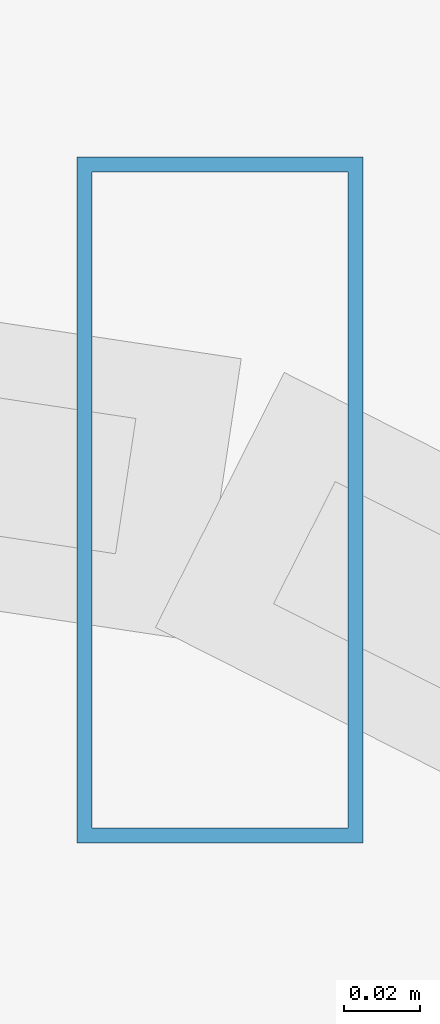
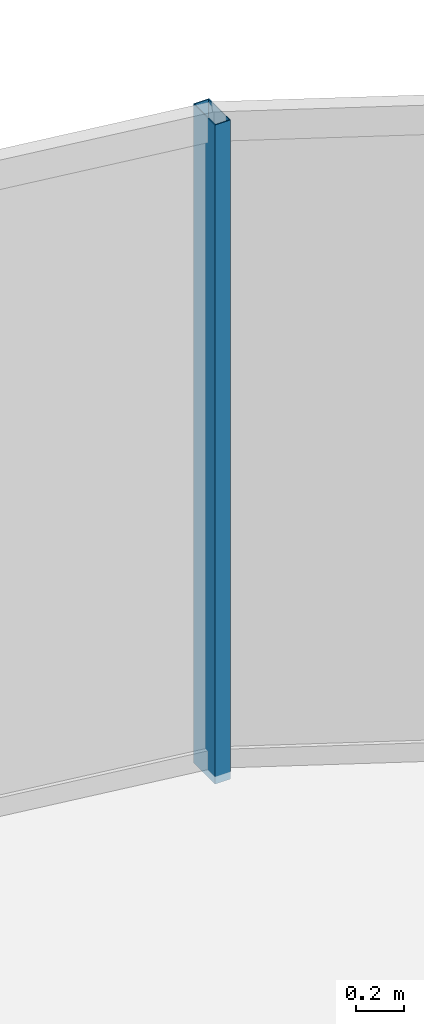
# One storey, part 21 of 33: 1 member, 1 element without a shape of its own.
"""IFC4 building model written with IfcOpenShell, lengths in metres."""

from ifc_helpers import new_model, si_unit, direction, frame, origin, origin_2d, place, context, subcontext, project, spatial, hollow_rectangle, extrude, material, material_profile, profile_set, type_object, element, aggregate, save


model = new_model("IFC4")

# Units and contexts
model_context = context("Model", 3, precision=1e-05, world=origin(), true_north=direction((0.0, 1.0)))
body_context = subcontext(model_context, "Body", "Model", "MODEL_VIEW")
ifc_project = project(units=[si_unit("LENGTHUNIT", "METRE"), si_unit("AREAUNIT", "SQUARE_METRE"), si_unit("VOLUMEUNIT", "CUBIC_METRE"), si_unit("PLANEANGLEUNIT", "RADIAN"), si_unit("MASSUNIT", "GRAM", prefix="KILO")], contexts=[model_context])

# Site, building, storey
site_placement = place(None, origin())
site = spatial("IfcSite", under=ifc_project, at=site_placement, CompositionType="ELEMENT")
building_placement = place(site_placement, origin())
building = spatial("IfcBuilding", under=site, at=building_placement, Name="Vorneva Point Tower", CompositionType="ELEMENT")
storey_placement = place(building_placement, frame((0.0, 0.0, 203.64990234375)))
storey = spatial("IfcBuildingStorey", under=building, at=storey_placement, Name="L55", CompositionType="ELEMENT", Elevation=203.64990234375)

# Curtain wall, member
ifc_material = material(Name="Pale anodised aluminium", Category="aluminium")
curtain_wall_type = type_object("IfcCurtainWallType", Name="CW-RES-SYS", PredefinedType="NOTDEFINED", material=ifc_material)
curtain_wall_placement = place(storey_placement, origin())
curtain_wall = element("IfcCurtainWall", 1, at=curtain_wall_placement, inside=storey, type_object=curtain_wall_type, Name="L55 Unitised Curtain Wall CW-L55-R01", PredefinedType="NOTDEFINED")
ifc_material_profile = material_profile(ifc_material, hollow_rectangle(XDim=0.074951171875, YDim=0.179931640625, WallThickness=0.00390625, at=origin_2d()), Name="AL-MUL 180x75x4")
ifc_profile_set = profile_set([ifc_material_profile], Name="Pale anodised aluminium")
member_type = type_object("IfcMemberType", Name="CW-MUL-180", PredefinedType="MULLION", material=ifc_profile_set)
member_placement = place(storey_placement, frame((48.80322265625, 45.724853515625, -0.039794921875), z_axis=(0.0, 0.0, 1.0), x_axis=(1.0, 0.0, 0.0)))
member = element("IfcMember", 2, at=member_placement, type_object=member_type, Name="CW-L55-R01 Mullion 03", PredefinedType="MULLION", context=body_context, shape_type="SweptSolid", body=[
    extrude(hollow_rectangle(XDim=0.074951171875, YDim=0.179931640625, WallThickness=0.00390625, at=origin_2d()), origin(), (0.0, 0.0, 1.0), 3.35986328125),
])
aggregate(curtain_wall, [member])

save(model, "model.ifc")
